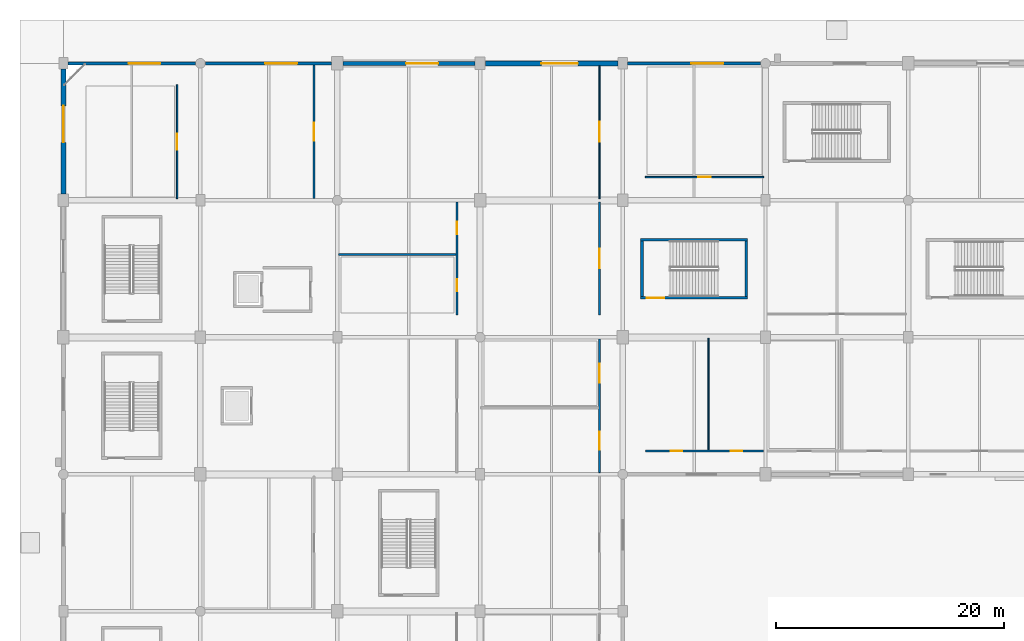
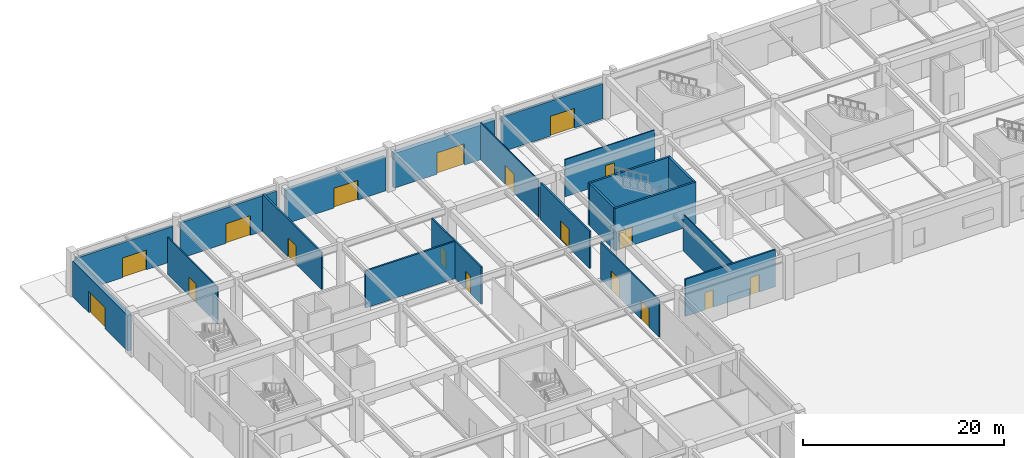
# One storey, part 29 of 69: 20 walls, 18 doors, 18 openings.
"""IFC4 building model written with IfcOpenShell, lengths in metres."""

from ifc_helpers import new_model, si_unit, direction, frame, frame_2d, origin, place, context, subcontext, project, spatial, rectangle, extrude, material, layer, layer_set, type_object, element, fill, save


model = new_model("IFC4")

# Units and contexts
model_context = context("Model", 3, precision=1e-05, world=origin(), true_north=direction((0.0, 1.0)))
body_context = subcontext(model_context, "Body", "Model", "MODEL_VIEW")
ifc_project = project(units=[si_unit("LENGTHUNIT", "METRE"), si_unit("AREAUNIT", "SQUARE_METRE"), si_unit("VOLUMEUNIT", "CUBIC_METRE"), si_unit("PLANEANGLEUNIT", "RADIAN"), si_unit("MASSUNIT", "GRAM", prefix="KILO")], contexts=[model_context])

# Site, building, storey
site_placement = place(None, origin())
site = spatial("IfcSite", under=ifc_project, at=site_placement, CompositionType="ELEMENT")
building_placement = place(site_placement, origin())
building = spatial("IfcBuilding", under=site, at=building_placement, Name="Kazenohara Klinker Stadium", CompositionType="ELEMENT")
storey_placement = place(building_placement, origin())
storey = spatial("IfcBuildingStorey", under=building, at=storey_placement, Name="L00", CompositionType="ELEMENT", Elevation=0.0)

# Wall, opening, door
ifc_material_1 = material(Name="Concrete C40/50", Category="concrete")
ifc_layer_1 = layer(ifc_material_1, 0.22998046875)
ifc_layer_set_1 = layer_set([ifc_layer_1], Name="Concrete C40/50")
wall_type_1 = type_object("IfcWallType", Name="WAL-CORE-230", PredefinedType="SHEAR", material=ifc_layer_set_1)
wall_1_placement = place(storey_placement, frame((50.570068359375, 147.455078125, 0.0), z_axis=(0.0, 0.0, 1.0), x_axis=(1.0, 0.0, 0.0)))
wall_1 = element("IfcWall", 1, at=wall_1_placement, inside=storey, type_object=wall_type_1, Name="Stairwell shear wall ST08 L00 South", PredefinedType="SHEAR", context=body_context, shape_type="SweptSolid", body=[
    extrude(rectangle(XDim=9.35986328125, YDim=0.22998046875, at=frame_2d((4.679931640625, 0.0))), origin(), (0.0, 0.0, 1.0), 5.139892578125),
])
opening_1_placement = place(wall_1_placement, frame((0.550048828125, 0.0, 0.0)))
opening_1 = element("IfcOpeningElement", 2, at=opening_1_placement, cuts=wall_1, Name="Opening SD02", PredefinedType="OPENING", context=body_context, shape_type="SweptSolid", body=[
    extrude(rectangle(XDim=1.5, YDim=2.199951171875, at=frame_2d((0.75, 1.10009765625))), frame((0.0, 0.125, 0.0), z_axis=(0.0, -1.0, 0.0), x_axis=(1.0, 0.0, 0.0)), (0.0, 0.0, 1.0), 0.25),
])
ifc_material_2 = material(Name="Flush painted steel fire door leaf", Category="steel")
door_type_1 = type_object("IfcDoorType", Name="DR-STR-1500x2200", OperationType="NOTDEFINED", PredefinedType="DOOR", material=ifc_material_2)
door_1_placement = place(opening_1_placement, origin())
door_1 = element("IfcDoor", 3, at=door_1_placement, inside=storey, type_object=door_type_1, Name="Escape stairwell fire door ST08-L00", OperationType="SINGLE_SWING_LEFT", OverallHeight=2.199951171875, OverallWidth=1.5, PredefinedType="DOOR", context=body_context, shape_type="SweptSolid", body=[
    extrude(rectangle(XDim=1.5, YDim=2.199951171875, at=frame_2d((0.75, 1.10009765625))), frame((0.0, 0.02490234375, 0.0), z_axis=(0.0, -1.0, 0.0), x_axis=(1.0, 0.0, 0.0)), (0.0, 0.0, 1.0), 0.050048828125),
])
fill(opening_1, door_1)

# Walls
wall_2_placement = place(storey_placement, frame((50.570068359375, 152.544921875, 0.0), z_axis=(0.0, 0.0, 1.0), x_axis=(1.0, 0.0, 0.0)))
element("IfcWall", 4, at=wall_2_placement, inside=storey, type_object=wall_type_1, Name="Stairwell shear wall ST08 L00 North", PredefinedType="SHEAR", context=body_context, shape_type="SweptSolid", body=[
    extrude(rectangle(XDim=9.35986328125, YDim=0.22998046875, at=frame_2d((4.679931640625, 0.0))), origin(), (0.0, 0.0, 1.0), 5.139892578125),
])
for number, where, z_axis, x_axis, name in (
    (5, (50.68505859375, 147.570068359375, 0.0), (0.0, 0.0, 1.0), (0.0, 1.0, 0.0), "Stairwell shear wall ST08 L00 West"),
    (6, (59.81494140625, 147.570068359375, 0.0), (0.0, 0.0, 1.0), (0.0, 1.0, 0.0), "Stairwell shear wall ST08 L00 East"),
):
    element("IfcWall", number, at=place(storey_placement, frame(where, z_axis=z_axis, x_axis=x_axis)), inside=storey, type_object=wall_type_1, Name=name, PredefinedType="SHEAR", context=body_context, shape_type="SweptSolid", body=[
        extrude(rectangle(XDim=4.85986328125, YDim=0.22998046875, at=frame_2d((2.429931640625, 0.0))), origin(), (0.0, 0.0, 1.0), 5.139892578125),
    ])

# Wall, opening, door
ifc_material_3 = material(Name="Clinker brick masonry", Category="masonry")
ifc_layer_2 = layer(ifc_material_3, 0.280029296875)
ifc_layer_set_2 = layer_set([ifc_layer_2], Name="Clinker brick masonry")
wall_type_2 = type_object("IfcWallType", Name="WAL-EXT-CB280", PredefinedType="SOLIDWALL", material=ifc_layer_set_2)
wall_3_placement = place(storey_placement, frame((0.404052734375, 168.0, 0.0), z_axis=(0.0, 0.0, 1.0), x_axis=(1.0, 0.0, 0.0)))
wall_3 = element("IfcWall", 7, at=wall_3_placement, inside=storey, type_object=wall_type_2, Name="Clinker brick cavity wall EW06 L00 X0-14", PredefinedType="SOLIDWALL", context=body_context, shape_type="SweptSolid", body=[
    extrude(rectangle(XDim=11.1669921875, YDim=0.280029296875, at=frame_2d((5.58349609375, 0.0))), origin(), (0.0, 0.0, 1.0), 4.239990234375),
])
opening_2_placement = place(wall_3_placement, frame((5.30029296875, 0.0, 0.0)))
opening_2 = element("IfcOpeningElement", 8, at=opening_2_placement, cuts=wall_3, Name="Opening G10", PredefinedType="OPENING", context=body_context, shape_type="SweptSolid", body=[
    extrude(rectangle(XDim=2.800048828125, YDim=2.39990234375, at=frame_2d((1.39990234375, 1.199951171875))), frame((0.0, 0.14990234375, 0.0), z_axis=(0.0, -1.0, 0.0), x_axis=(1.0, 0.0, 0.0)), (0.0, 0.0, 1.0), 0.300048828125),
])
ifc_material_4 = material(Name="Powder-coated aluminium and laminated safety glass", Category="aluminium")
door_type_2 = type_object("IfcDoorType", Name="DR-GATE-2800x2400", OperationType="NOTDEFINED", PredefinedType="DOOR", material=ifc_material_4)
door_2_placement = place(opening_2_placement, origin())
door_2 = element("IfcDoor", 9, at=door_2_placement, inside=storey, type_object=door_type_2, Name="Pedestrian exit gate G10", OperationType="DOUBLE_DOOR_SINGLE_SWING", OverallHeight=2.39990234375, OverallWidth=2.800048828125, PredefinedType="DOOR", context=body_context, shape_type="SweptSolid", body=[
    extrude(rectangle(XDim=2.800048828125, YDim=2.39990234375, at=frame_2d((1.39990234375, 1.199951171875))), frame((0.0, 0.02490234375, 0.0), z_axis=(0.0, -1.0, 0.0), x_axis=(1.0, 0.0, 0.0)), (0.0, 0.0, 1.0), 0.050048828125),
])
fill(opening_2, door_2)

wall_4_placement = place(storey_placement, frame((12.428955078125, 168.0, 0.0), z_axis=(0.0, 0.0, 1.0), x_axis=(1.0, 0.0, 0.0)))
wall_4 = element("IfcWall", 10, at=wall_4_placement, inside=storey, type_object=wall_type_2, Name="Clinker brick cavity wall EW06 L00 X1-14", PredefinedType="SOLIDWALL", context=body_context, shape_type="SweptSolid", body=[
    extrude(rectangle(XDim=11.067138671875, YDim=0.280029296875, at=frame_2d((5.53369140625, 0.0))), origin(), (0.0, 0.0, 1.0), 4.340087890625),
])
opening_3_placement = place(wall_4_placement, frame((5.240234375, 0.0, 0.0)))
opening_3 = element("IfcOpeningElement", 11, at=opening_3_placement, cuts=wall_4, Name="Opening G12", PredefinedType="OPENING", context=body_context, shape_type="SweptSolid", body=[
    extrude(rectangle(XDim=2.800048828125, YDim=2.39990234375, at=frame_2d((1.39990234375, 1.199951171875))), frame((0.0, 0.14990234375, 0.0), z_axis=(0.0, -1.0, 0.0), x_axis=(1.0, 0.0, 0.0)), (0.0, 0.0, 1.0), 0.300048828125),
])
door_3_placement = place(opening_3_placement, origin())
door_3 = element("IfcDoor", 12, at=door_3_placement, inside=storey, type_object=door_type_2, Name="Pedestrian exit gate G12", OperationType="DOUBLE_DOOR_SINGLE_SWING", OverallHeight=2.39990234375, OverallWidth=2.800048828125, PredefinedType="DOOR", context=body_context, shape_type="SweptSolid", body=[
    extrude(rectangle(XDim=2.800048828125, YDim=2.39990234375, at=frame_2d((1.39990234375, 1.199951171875))), frame((0.0, 0.02490234375, 0.0), z_axis=(0.0, -1.0, 0.0), x_axis=(1.0, 0.0, 0.0)), (0.0, 0.0, 1.0), 0.050048828125),
])
fill(opening_3, door_3)

wall_5_placement = place(storey_placement, frame((49.404052734375, 168.0, 0.0), z_axis=(0.0, 0.0, 1.0), x_axis=(1.0, 0.0, 0.0)))
wall_5 = element("IfcWall", 13, at=wall_5_placement, inside=storey, type_object=wall_type_2, Name="Clinker brick cavity wall EW06 L00 X4-14", PredefinedType="SOLIDWALL", context=body_context, shape_type="SweptSolid", body=[
    extrude(rectangle(XDim=11.6669921875, YDim=0.280029296875, at=frame_2d((5.83349609375, 0.0))), origin(), (0.0, 0.0, 1.0), 4.239990234375),
])
opening_4_placement = place(wall_5_placement, frame((5.60009765625, 0.0, 0.0)))
opening_4 = element("IfcOpeningElement", 14, at=opening_4_placement, cuts=wall_5, Name="Opening G17", PredefinedType="OPENING", context=body_context, shape_type="SweptSolid", body=[
    extrude(rectangle(XDim=2.800048828125, YDim=2.39990234375, at=frame_2d((1.39990234375, 1.199951171875))), frame((0.0, 0.14990234375, 0.0), z_axis=(0.0, -1.0, 0.0), x_axis=(1.0, 0.0, 0.0)), (0.0, 0.0, 1.0), 0.300048828125),
])
door_4_placement = place(opening_4_placement, origin())
door_4 = element("IfcDoor", 15, at=door_4_placement, inside=storey, type_object=door_type_2, Name="Pedestrian exit gate G17", OperationType="DOUBLE_DOOR_SINGLE_SWING", OverallHeight=2.39990234375, OverallWidth=2.800048828125, PredefinedType="DOOR", context=body_context, shape_type="SweptSolid", body=[
    extrude(rectangle(XDim=2.800048828125, YDim=2.39990234375, at=frame_2d((1.39990234375, 1.199951171875))), frame((0.0, 0.02490234375, 0.0), z_axis=(0.0, -1.0, 0.0), x_axis=(1.0, 0.0, 0.0)), (0.0, 0.0, 1.0), 0.050048828125),
])
fill(opening_4, door_4)

ifc_layer_3 = layer(ifc_material_3, 0.3701171875)
ifc_layer_set_3 = layer_set([ifc_layer_3], Name="Clinker brick masonry")
wall_type_3 = type_object("IfcWallType", Name="WAL-EXT-CB370", PredefinedType="SOLIDWALL", material=ifc_layer_set_3)
wall_6_placement = place(storey_placement, frame((24.50390625, 168.0, 0.0), z_axis=(0.0, 0.0, 1.0), x_axis=(1.0, 0.0, 0.0)))
wall_6 = element("IfcWall", 16, at=wall_6_placement, inside=storey, type_object=wall_type_3, Name="Clinker brick cavity wall EW03 L00 X2-14", PredefinedType="SOLIDWALL", context=body_context, shape_type="SweptSolid", body=[
    extrude(rectangle(XDim=11.5419921875, YDim=0.3701171875, at=frame_2d((5.77099609375, 0.0))), origin(), (0.0, 0.0, 1.0), 4.090087890625),
])
opening_5_placement = place(wall_6_placement, frame((5.525146484375, 0.0, 0.0)))
opening_5 = element("IfcOpeningElement", 17, at=opening_5_placement, cuts=wall_6, Name="Opening G14", PredefinedType="OPENING", context=body_context, shape_type="SweptSolid", body=[
    extrude(rectangle(XDim=2.800048828125, YDim=2.39990234375, at=frame_2d((1.39990234375, 1.199951171875))), frame((0.0, 0.195068359375, 0.0), z_axis=(0.0, -1.0, 0.0), x_axis=(1.0, 0.0, 0.0)), (0.0, 0.0, 1.0), 0.39013671875),
])
door_5_placement = place(opening_5_placement, origin())
door_5 = element("IfcDoor", 18, at=door_5_placement, inside=storey, type_object=door_type_2, Name="Pedestrian exit gate G14", OperationType="DOUBLE_DOOR_SINGLE_SWING", OverallHeight=2.39990234375, OverallWidth=2.800048828125, PredefinedType="DOOR", context=body_context, shape_type="SweptSolid", body=[
    extrude(rectangle(XDim=2.800048828125, YDim=2.39990234375, at=frame_2d((1.39990234375, 1.199951171875))), frame((0.0, 0.02490234375, 0.0), z_axis=(0.0, -1.0, 0.0), x_axis=(1.0, 0.0, 0.0)), (0.0, 0.0, 1.0), 0.050048828125),
])
fill(opening_5, door_5)

ifc_layer_4 = layer(ifc_material_3, 0.449951171875)
ifc_layer_set_4 = layer_set([ifc_layer_4], Name="Clinker brick masonry")
wall_type_4 = type_object("IfcWallType", Name="WAL-EXT-CB450", PredefinedType="SOLIDWALL", material=ifc_layer_set_4)
wall_7_placement = place(storey_placement, frame((0.0, 156.553955078125, 0.0), z_axis=(0.0, 0.0, 1.0), x_axis=(0.0, 1.0, 0.0)))
wall_7 = element("IfcWall", 19, at=wall_7_placement, inside=storey, type_object=wall_type_4, Name="Clinker brick cavity wall EW01 L00 Y0-13", PredefinedType="SOLIDWALL", context=body_context, shape_type="SweptSolid", body=[
    extrude(rectangle(XDim=10.942138671875, YDim=0.449951171875, at=frame_2d((5.47119140625, 0.0))), origin(), (0.0, 0.0, 1.0), 4.340087890625),
])
opening_6_placement = place(wall_7_placement, frame((4.527587890625, 0.0, 0.0)))
opening_6 = element("IfcOpeningElement", 20, at=opening_6_placement, cuts=wall_7, Name="Opening E02", PredefinedType="OPENING", context=body_context, shape_type="SweptSolid", body=[
    extrude(rectangle(XDim=3.199951171875, YDim=2.60009765625, at=frame_2d((1.60009765625, 1.300048828125))), frame((0.0, 0.23486328125, 0.0), z_axis=(0.0, -1.0, 0.0), x_axis=(1.0, 0.0, 0.0)), (0.0, 0.0, 1.0), 0.469970703125),
])
ifc_material_5 = material(Name="Bronze-anodised aluminium and tempered glass", Category="aluminium")
door_type_3 = type_object("IfcDoorType", Name="DR-ENT-3200x2600", OperationType="NOTDEFINED", PredefinedType="DOOR", material=ifc_material_5)
door_6_placement = place(opening_6_placement, origin())
door_6 = element("IfcDoor", 21, at=door_6_placement, inside=storey, type_object=door_type_3, Name="Main spectator entrance E02", OperationType="DOUBLE_DOOR_SINGLE_SWING", OverallHeight=2.60009765625, OverallWidth=3.199951171875, PredefinedType="DOOR", context=body_context, shape_type="SweptSolid", body=[
    extrude(rectangle(XDim=3.199951171875, YDim=2.60009765625, at=frame_2d((1.60009765625, 1.300048828125))), frame((0.0, 0.02490234375, 0.0), z_axis=(0.0, -1.0, 0.0), x_axis=(1.0, 0.0, 0.0)), (0.0, 0.0, 1.0), 0.050048828125),
])
fill(opening_6, door_6)

wall_8_placement = place(storey_placement, frame((36.9541015625, 168.0, 0.0), z_axis=(0.0, 0.0, 1.0), x_axis=(1.0, 0.0, 0.0)))
wall_8 = element("IfcWall", 22, at=wall_8_placement, inside=storey, type_object=wall_type_4, Name="Clinker brick cavity wall EW01 L00 X3-14", PredefinedType="SOLIDWALL", context=body_context, shape_type="SweptSolid", body=[
    extrude(rectangle(XDim=11.641845703125, YDim=0.449951171875, at=frame_2d((5.82080078125, 0.0))), origin(), (0.0, 0.0, 1.0), 4.239990234375),
])
opening_7_placement = place(wall_8_placement, frame((4.91943359375, 0.0, 0.0)))
opening_7 = element("IfcOpeningElement", 23, at=opening_7_placement, cuts=wall_8, Name="Opening E03", PredefinedType="OPENING", context=body_context, shape_type="SweptSolid", body=[
    extrude(rectangle(XDim=3.199951171875, YDim=2.60009765625, at=frame_2d((1.60009765625, 1.300048828125))), frame((0.0, 0.23486328125, 0.0), z_axis=(0.0, -1.0, 0.0), x_axis=(1.0, 0.0, 0.0)), (0.0, 0.0, 1.0), 0.469970703125),
])
door_7_placement = place(opening_7_placement, origin())
door_7 = element("IfcDoor", 24, at=door_7_placement, inside=storey, type_object=door_type_3, Name="Main spectator entrance E03", OperationType="DOUBLE_DOOR_SINGLE_SWING", OverallHeight=2.60009765625, OverallWidth=3.199951171875, PredefinedType="DOOR", context=body_context, shape_type="SweptSolid", body=[
    extrude(rectangle(XDim=3.199951171875, YDim=2.60009765625, at=frame_2d((1.60009765625, 1.300048828125))), frame((0.0, 0.02490234375, 0.0), z_axis=(0.0, -1.0, 0.0), x_axis=(1.0, 0.0, 0.0)), (0.0, 0.0, 1.0), 0.050048828125),
])
fill(opening_7, door_7)

ifc_material_6 = material(Name="Fire-rated gypsum board on acoustic studs", Category="gypsum")
ifc_layer_5 = layer(ifc_material_6, 0.110107421875)
ifc_layer_set_5 = layer_set([ifc_layer_5], Name="Fire-rated gypsum board on acoustic studs")
wall_type_5 = type_object("IfcWallType", Name="WAL-INT-P110", PredefinedType="PARTITIONING", material=ifc_layer_set_5)
wall_9_placement = place(storey_placement, frame((46.9599609375, 156.159912109375, 0.0), z_axis=(0.0, 0.0, 1.0), x_axis=(0.0, 1.0, 0.0)))
wall_9 = element("IfcWall", 25, at=wall_9_placement, inside=storey, type_object=wall_type_5, Name="Interior partition wall PT01 SPC-L00-03-13-1-1", PredefinedType="PARTITIONING", context=body_context, shape_type="SweptSolid", body=[
    extrude(rectangle(XDim=11.613037109375, YDim=0.110107421875, at=frame_2d((5.806640625, 0.0))), origin(), (0.0, 0.0, 1.0), 4.52001953125),
])
opening_8_placement = place(wall_9_placement, frame((4.9599609375, 0.0, 0.0)))
opening_8 = element("IfcOpeningElement", 26, at=opening_8_placement, cuts=wall_9, Name="Opening ID26", PredefinedType="OPENING", context=body_context, shape_type="SweptSolid", body=[
    extrude(rectangle(XDim=1.760009765625, YDim=2.300048828125, at=frame_2d((0.8798828125, 1.14990234375))), frame((0.0, 0.06494140625, 0.0), z_axis=(0.0, -1.0, 0.0), x_axis=(1.0, 0.0, 0.0)), (0.0, 0.0, 1.0), 0.130126953125),
])
ifc_material_7 = material(Name="Painted steel plant fire door", Category="steel")
door_type_4 = type_object("IfcDoorType", Name="DR-INT-26", OperationType="NOTDEFINED", PredefinedType="DOOR", material=ifc_material_7)
door_8_placement = place(opening_8_placement, origin())
door_8 = element("IfcDoor", 27, at=door_8_placement, inside=storey, type_object=door_type_4, Name="Interior door ID26 Spectator First-Aid Medical Clinic L00-0313A", OperationType="SINGLE_SWING_LEFT", OverallHeight=2.300048828125, OverallWidth=1.760009765625, PredefinedType="DOOR", context=body_context, shape_type="SweptSolid", body=[
    extrude(rectangle(XDim=1.760009765625, YDim=2.300048828125, at=frame_2d((0.8798828125, 1.14990234375))), frame((0.0, 0.02490234375, 0.0), z_axis=(0.0, -1.0, 0.0), x_axis=(1.0, 0.0, 0.0)), (0.0, 0.0, 1.0), 0.050048828125),
])
fill(opening_8, door_8)

# Wall
wall_10_placement = place(storey_placement, frame((56.51806640625, 134.139892578125, 0.0), z_axis=(0.0, 0.0, 1.0), x_axis=(0.0, 1.0, 0.0)))
element("IfcWall", 28, at=wall_10_placement, inside=storey, type_object=wall_type_5, Name="Interior partition wall PT01 SPC-L00-04-11-1-2", PredefinedType="PARTITIONING", context=body_context, shape_type="SweptSolid", body=[
    extrude(rectangle(XDim=9.780029296875, YDim=0.110107421875, at=frame_2d((4.89013671875, 0.0))), origin(), (0.0, 0.0, 1.0), 4.52001953125),
])

# Wall, opening, door
ifc_layer_6 = layer(ifc_material_6, 0.1201171875)
ifc_layer_set_6 = layer_set([ifc_layer_6], Name="Fire-rated gypsum board on acoustic studs")
wall_type_6 = type_object("IfcWallType", Name="WAL-INT-P120", PredefinedType="PARTITIONING", material=ifc_layer_set_6)
wall_11_placement = place(storey_placement, frame((9.9599609375, 156.159912109375, 0.0), z_axis=(0.0, 0.0, 1.0), x_axis=(0.0, 1.0, 0.0)))
wall_11 = element("IfcWall", 29, at=wall_11_placement, inside=storey, type_object=wall_type_6, Name="Interior partition wall PT02 SPC-L00-00-13-1-1", PredefinedType="PARTITIONING", context=body_context, shape_type="SweptSolid", body=[
    extrude(rectangle(XDim=9.989990234375, YDim=0.1201171875, at=frame_2d((4.9951171875, 0.0))), origin(), (0.0, 0.0, 1.0), 4.52001953125),
])
opening_9_placement = place(wall_11_placement, frame((4.294921875, 0.0, 0.0)))
opening_9 = element("IfcOpeningElement", 30, at=opening_9_placement, cuts=wall_11, Name="Opening ID18", PredefinedType="OPENING", context=body_context, shape_type="SweptSolid", body=[
    extrude(rectangle(XDim=1.39990234375, YDim=2.239990234375, at=frame_2d((0.699951171875, 1.1201171875))), frame((0.0, 0.070068359375, 0.0), z_axis=(0.0, -1.0, 0.0), x_axis=(1.0, 0.0, 0.0)), (0.0, 0.0, 1.0), 0.14013671875),
])
ifc_material_8 = material(Name="Solid-core Hokkaido oak fire door", Category="wood")
door_type_5 = type_object("IfcDoorType", Name="DR-INT-18", OperationType="NOTDEFINED", PredefinedType="DOOR", material=ifc_material_8)
door_9_placement = place(opening_9_placement, origin())
door_9 = element("IfcDoor", 31, at=door_9_placement, inside=storey, type_object=door_type_5, Name="Interior door ID18 Civic Stadium Heritage Museum Exhibition Gallery L00-0013A", OperationType="SINGLE_SWING_LEFT", OverallHeight=2.239990234375, OverallWidth=1.39990234375, PredefinedType="DOOR", context=body_context, shape_type="SweptSolid", body=[
    extrude(rectangle(XDim=1.39990234375, YDim=2.239990234375, at=frame_2d((0.699951171875, 1.1201171875))), frame((0.0, 0.02490234375, 0.0), z_axis=(0.0, -1.0, 0.0), x_axis=(1.0, 0.0, 0.0)), (0.0, 0.0, 1.0), 0.050048828125),
])
fill(opening_9, door_9)

wall_12_placement = place(storey_placement, frame((50.969970703125, 158.0400390625, 0.0), z_axis=(0.0, 0.0, 1.0), x_axis=(1.0, 0.0, 0.0)))
wall_12 = element("IfcWall", 32, at=wall_12_placement, inside=storey, type_object=wall_type_6, Name="Interior partition wall PT02 SPC-L00-04-13-1-1", PredefinedType="PARTITIONING", context=body_context, shape_type="SweptSolid", body=[
    extrude(rectangle(XDim=10.3701171875, YDim=0.1201171875, at=frame_2d((5.18505859375, 0.0))), origin(), (0.0, 0.0, 1.0), 4.52001953125),
])
opening_10_placement = place(wall_12_placement, frame((4.655029296875, 0.0, 0.0)))
opening_10 = element("IfcOpeningElement", 33, at=opening_10_placement, cuts=wall_12, Name="Opening ID07", PredefinedType="OPENING", context=body_context, shape_type="SweptSolid", body=[
    extrude(rectangle(XDim=1.06005859375, YDim=2.14990234375, at=frame_2d((0.530029296875, 1.074951171875))), frame((0.0, 0.070068359375, 0.0), z_axis=(0.0, -1.0, 0.0), x_axis=(1.0, 0.0, 0.0)), (0.0, 0.0, 1.0), 0.14013671875),
])
door_type_6 = type_object("IfcDoorType", Name="DR-INT-07", OperationType="NOTDEFINED", PredefinedType="DOOR", material=ifc_material_8)
door_10_placement = place(opening_10_placement, origin())
door_10 = element("IfcDoor", 34, at=door_10_placement, inside=storey, type_object=door_type_6, Name="Interior door ID07 Supporter Merchandising Retail Shop L00-0413A", OperationType="SINGLE_SWING_RIGHT", OverallHeight=2.14990234375, OverallWidth=1.06005859375, PredefinedType="DOOR", context=body_context, shape_type="SweptSolid", body=[
    extrude(rectangle(XDim=1.06005859375, YDim=2.14990234375, at=frame_2d((0.530029296875, 1.074951171875))), frame((0.0, 0.02490234375, 0.0), z_axis=(0.0, -1.0, 0.0), x_axis=(1.0, 0.0, 0.0)), (0.0, 0.0, 1.0), 0.050048828125),
])
fill(opening_10, door_10)

# Wall, openings, doors
ifc_layer_7 = layer(ifc_material_6, 0.14990234375)
ifc_layer_set_7 = layer_set([ifc_layer_7], Name="Fire-rated gypsum board on acoustic studs")
wall_type_7 = type_object("IfcWallType", Name="WAL-INT-P150", PredefinedType="PARTITIONING", material=ifc_layer_set_7)
wall_13_placement = place(storey_placement, frame((46.9599609375, 132.159912109375, 0.0), z_axis=(0.0, 0.0, 1.0), x_axis=(0.0, 1.0, 0.0)))
wall_13 = element("IfcWall", 35, at=wall_13_placement, inside=storey, type_object=wall_type_7, Name="Interior partition wall PT04 SPC-L00-03-11-1-1", PredefinedType="PARTITIONING", context=body_context, shape_type="SweptSolid", body=[
    extrude(rectangle(XDim=11.68017578125, YDim=0.14990234375, at=frame_2d((5.840087890625, 0.0))), origin(), (0.0, 0.0, 1.0), 4.52001953125),
])
opening_11_placement = place(wall_13_placement, frame((1.992431640625, 0.0, 0.0)))
opening_11 = element("IfcOpeningElement", 36, at=opening_11_placement, cuts=wall_13, Name="Opening ID23", PredefinedType="OPENING", context=body_context, shape_type="SweptSolid", body=[
    extrude(rectangle(XDim=1.60009765625, YDim=2.300048828125, at=frame_2d((0.800048828125, 1.14990234375))), frame((0.0, 0.0849609375, 0.0), z_axis=(0.0, -1.0, 0.0), x_axis=(1.0, 0.0, 0.0)), (0.0, 0.0, 1.0), 0.169921875),
])
opening_12_placement = place(wall_13_placement, frame((7.887451171875, 0.0, 0.0)))
opening_12 = element("IfcOpeningElement", 37, at=opening_12_placement, cuts=wall_13, Name="Opening ID24", PredefinedType="OPENING", context=body_context, shape_type="SweptSolid", body=[
    extrude(rectangle(XDim=1.64990234375, YDim=2.280029296875, at=frame_2d((0.824951171875, 1.14013671875))), frame((0.0, 0.0849609375, 0.0), z_axis=(0.0, -1.0, 0.0), x_axis=(1.0, 0.0, 0.0)), (0.0, 0.0, 1.0), 0.169921875),
])
door_type_7 = type_object("IfcDoorType", Name="DR-INT-23", OperationType="NOTDEFINED", PredefinedType="DOOR", material=ifc_material_7)
door_11_placement = place(opening_11_placement, origin())
door_11 = element("IfcDoor", 38, at=door_11_placement, inside=storey, type_object=door_type_7, Name="Interior door ID23 Civic Stadium Heritage Museum Exhibition Gallery L00-0311A", OperationType="SINGLE_SWING_RIGHT", OverallHeight=2.300048828125, OverallWidth=1.60009765625, PredefinedType="DOOR", context=body_context, shape_type="SweptSolid", body=[
    extrude(rectangle(XDim=1.60009765625, YDim=2.300048828125, at=frame_2d((0.800048828125, 1.14990234375))), frame((0.0, 0.02490234375, 0.0), z_axis=(0.0, -1.0, 0.0), x_axis=(1.0, 0.0, 0.0)), (0.0, 0.0, 1.0), 0.050048828125),
])
fill(opening_11, door_11)
door_type_8 = type_object("IfcDoorType", Name="DR-INT-24", OperationType="NOTDEFINED", PredefinedType="DOOR", material=ifc_material_7)
door_12_placement = place(opening_12_placement, origin())
door_12 = element("IfcDoor", 39, at=door_12_placement, inside=storey, type_object=door_type_8, Name="Interior door ID24 Street-Front Bakery and Cafe Restaurant L00-0311B", OperationType="SINGLE_SWING_LEFT", OverallHeight=2.280029296875, OverallWidth=1.64990234375, PredefinedType="DOOR", context=body_context, shape_type="SweptSolid", body=[
    extrude(rectangle(XDim=1.64990234375, YDim=2.280029296875, at=frame_2d((0.824951171875, 1.14013671875))), frame((0.0, 0.02490234375, 0.0), z_axis=(0.0, -1.0, 0.0), x_axis=(1.0, 0.0, 0.0)), (0.0, 0.0, 1.0), 0.050048828125),
])
fill(opening_12, door_12)

ifc_layer_8 = layer(ifc_material_6, 0.169921875)
ifc_layer_set_8 = layer_set([ifc_layer_8], Name="Fire-rated gypsum board on acoustic studs")
wall_type_8 = type_object("IfcWallType", Name="WAL-INT-P170", PredefinedType="PARTITIONING", material=ifc_layer_set_8)
wall_14_placement = place(storey_placement, frame((34.4599609375, 145.969970703125, 0.0), z_axis=(0.0, 0.0, 1.0), x_axis=(0.0, 1.0, 0.0)))
wall_14 = element("IfcWall", 40, at=wall_14_placement, inside=storey, type_object=wall_type_8, Name="Interior partition wall PT05 SPC-L00-02-12-1-1", PredefinedType="PARTITIONING", context=body_context, shape_type="SweptSolid", body=[
    extrude(rectangle(XDim=9.8701171875, YDim=0.169921875, at=frame_2d((4.93505859375, 0.0))), origin(), (0.0, 0.0, 1.0), 4.52001953125),
])
opening_13_placement = place(wall_14_placement, frame((2.0703125, 0.0, 0.0)))
opening_13 = element("IfcOpeningElement", 41, at=opening_13_placement, cuts=wall_14, Name="Opening ID07", PredefinedType="OPENING", context=body_context, shape_type="SweptSolid", body=[
    extrude(rectangle(XDim=1.06005859375, YDim=2.14990234375, at=frame_2d((0.530029296875, 1.074951171875))), frame((0.0, 0.094970703125, 0.0), z_axis=(0.0, -1.0, 0.0), x_axis=(1.0, 0.0, 0.0)), (0.0, 0.0, 1.0), 0.18994140625),
])
opening_14_placement = place(wall_14_placement, frame((7.0703125, 0.0, 0.0)))
opening_14 = element("IfcOpeningElement", 42, at=opening_14_placement, cuts=wall_14, Name="Opening ID08", PredefinedType="OPENING", context=body_context, shape_type="SweptSolid", body=[
    extrude(rectangle(XDim=1.090087890625, YDim=2.159912109375, at=frame_2d((0.544921875, 1.080078125))), frame((0.0, 0.094970703125, 0.0), z_axis=(0.0, -1.0, 0.0), x_axis=(1.0, 0.0, 0.0)), (0.0, 0.0, 1.0), 0.18994140625),
])
door_13_placement = place(opening_13_placement, origin())
door_13 = element("IfcDoor", 43, at=door_13_placement, inside=storey, type_object=door_type_6, Name="Interior door ID07 Spectator First-Aid Medical Clinic L00-0212A", OperationType="SINGLE_SWING_RIGHT", OverallHeight=2.14990234375, OverallWidth=1.06005859375, PredefinedType="DOOR", context=body_context, shape_type="SweptSolid", body=[
    extrude(rectangle(XDim=1.06005859375, YDim=2.14990234375, at=frame_2d((0.530029296875, 1.074951171875))), frame((0.0, 0.02490234375, 0.0), z_axis=(0.0, -1.0, 0.0), x_axis=(1.0, 0.0, 0.0)), (0.0, 0.0, 1.0), 0.050048828125),
])
fill(opening_13, door_13)
door_type_9 = type_object("IfcDoorType", Name="DR-INT-08", OperationType="NOTDEFINED", PredefinedType="DOOR", material=ifc_material_8)
door_14_placement = place(opening_14_placement, origin())
door_14 = element("IfcDoor", 44, at=door_14_placement, inside=storey, type_object=door_type_9, Name="Interior door ID08 Winter-Garden Retail Galleria Boutique L00-0212B", OperationType="SINGLE_SWING_LEFT", OverallHeight=2.159912109375, OverallWidth=1.090087890625, PredefinedType="DOOR", context=body_context, shape_type="SweptSolid", body=[
    extrude(rectangle(XDim=1.090087890625, YDim=2.159912109375, at=frame_2d((0.544921875, 1.080078125))), frame((0.0, 0.02490234375, 0.0), z_axis=(0.0, -1.0, 0.0), x_axis=(1.0, 0.0, 0.0)), (0.0, 0.0, 1.0), 0.050048828125),
])
fill(opening_14, door_14)

# Wall, opening, door
ifc_layer_9 = layer(ifc_material_6, 0.18994140625)
ifc_layer_set_9 = layer_set([ifc_layer_9], Name="Fire-rated gypsum board on acoustic studs")
wall_type_9 = type_object("IfcWallType", Name="WAL-INT-P190", PredefinedType="PARTITIONING", material=ifc_layer_set_9)
wall_15_placement = place(storey_placement, frame((21.9599609375, 156.159912109375, 0.0), z_axis=(0.0, 0.0, 1.0), x_axis=(0.0, 1.0, 0.0)))
wall_15 = element("IfcWall", 45, at=wall_15_placement, inside=storey, type_object=wall_type_9, Name="Interior partition wall PT06 SPC-L00-01-13-1-1", PredefinedType="PARTITIONING", context=body_context, shape_type="SweptSolid", body=[
    extrude(rectangle(XDim=11.697998046875, YDim=0.18994140625, at=frame_2d((5.84912109375, 0.0))), origin(), (0.0, 0.0, 1.0), 4.52001953125),
])
opening_15_placement = place(wall_15_placement, frame((5.06005859375, 0.0, 0.0)))
opening_15 = element("IfcOpeningElement", 46, at=opening_15_placement, cuts=wall_15, Name="Opening ID22", PredefinedType="OPENING", context=body_context, shape_type="SweptSolid", body=[
    extrude(rectangle(XDim=1.56005859375, YDim=2.260009765625, at=frame_2d((0.780029296875, 1.1298828125))), frame((0.0, 0.10498046875, 0.0), z_axis=(0.0, -1.0, 0.0), x_axis=(1.0, 0.0, 0.0)), (0.0, 0.0, 1.0), 0.2099609375),
])
door_type_10 = type_object("IfcDoorType", Name="DR-INT-22", OperationType="NOTDEFINED", PredefinedType="DOOR", material=ifc_material_7)
door_15_placement = place(opening_15_placement, origin())
door_15 = element("IfcDoor", 47, at=door_15_placement, inside=storey, type_object=door_type_10, Name="Interior door ID22 Civic Stadium Heritage Museum Exhibition Gallery L00-0113A", OperationType="SINGLE_SWING_LEFT", OverallHeight=2.260009765625, OverallWidth=1.56005859375, PredefinedType="DOOR", context=body_context, shape_type="SweptSolid", body=[
    extrude(rectangle(XDim=1.56005859375, YDim=2.260009765625, at=frame_2d((0.780029296875, 1.1298828125))), frame((0.0, 0.02490234375, 0.0), z_axis=(0.0, -1.0, 0.0), x_axis=(1.0, 0.0, 0.0)), (0.0, 0.0, 1.0), 0.050048828125),
])
fill(opening_15, door_15)

# Wall
wall_16_placement = place(storey_placement, frame((24.080078125, 151.25048828125, 0.0), z_axis=(0.0, 0.0, 1.0), x_axis=(1.0, 0.0, 0.0)))
element("IfcWall", 48, at=wall_16_placement, inside=storey, type_object=wall_type_9, Name="Interior partition wall PT06 SPC-L00-02-12-1-2", PredefinedType="PARTITIONING", context=body_context, shape_type="SweptSolid", body=[
    extrude(rectangle(XDim=10.2900390625, YDim=0.18994140625, at=frame_2d((5.14501953125, 0.0))), origin(), (0.0, 0.0, 1.0), 4.52001953125),
])

# Wall, opening, door
wall_17_placement = place(storey_placement, frame((46.9599609375, 145.969970703125, 0.0), z_axis=(0.0, 0.0, 1.0), x_axis=(0.0, 1.0, 0.0)))
wall_17 = element("IfcWall", 49, at=wall_17_placement, inside=storey, type_object=wall_type_9, Name="Interior partition wall PT06 SPC-L00-03-12-1-1", PredefinedType="PARTITIONING", context=body_context, shape_type="SweptSolid", body=[
    extrude(rectangle(XDim=9.8701171875, YDim=0.18994140625, at=frame_2d((4.93505859375, 0.0))), origin(), (0.0, 0.0, 1.0), 4.52001953125),
])
opening_16_placement = place(wall_17_placement, frame((4.0849609375, 0.0, 0.0)))
opening_16 = element("IfcOpeningElement", 50, at=opening_16_placement, cuts=wall_17, Name="Opening ID25", PredefinedType="OPENING", context=body_context, shape_type="SweptSolid", body=[
    extrude(rectangle(XDim=1.699951171875, YDim=2.320068359375, at=frame_2d((0.85009765625, 1.16015625))), frame((0.0, 0.10498046875, 0.0), z_axis=(0.0, -1.0, 0.0), x_axis=(1.0, 0.0, 0.0)), (0.0, 0.0, 1.0), 0.2099609375),
])
door_type_11 = type_object("IfcDoorType", Name="DR-INT-25", OperationType="NOTDEFINED", PredefinedType="DOOR", material=ifc_material_7)
door_16_placement = place(opening_16_placement, origin())
door_16 = element("IfcDoor", 51, at=door_16_placement, inside=storey, type_object=door_type_11, Name="Interior door ID25 Supporter Merchandising Retail Shop L00-0312A", OperationType="SINGLE_SWING_RIGHT", OverallHeight=2.320068359375, OverallWidth=1.699951171875, PredefinedType="DOOR", context=body_context, shape_type="SweptSolid", body=[
    extrude(rectangle(XDim=1.699951171875, YDim=2.320068359375, at=frame_2d((0.85009765625, 1.16015625))), frame((0.0, 0.02490234375, 0.0), z_axis=(0.0, -1.0, 0.0), x_axis=(1.0, 0.0, 0.0)), (0.0, 0.0, 1.0), 0.050048828125),
])
fill(opening_16, door_16)

# Wall, openings, doors
wall_18_placement = place(storey_placement, frame((50.969970703125, 134.0400390625, 0.0), z_axis=(0.0, 0.0, 1.0), x_axis=(1.0, 0.0, 0.0)))
wall_18 = element("IfcWall", 52, at=wall_18_placement, inside=storey, type_object=wall_type_9, Name="Interior partition wall PT06 SPC-L00-04-11-1-1", PredefinedType="PARTITIONING", context=body_context, shape_type="SweptSolid", body=[
    extrude(rectangle(XDim=10.3701171875, YDim=0.18994140625, at=frame_2d((5.18505859375, 0.0))), origin(), (0.0, 0.0, 1.0), 4.52001953125),
])
opening_17_placement = place(wall_18_placement, frame((2.23388671875, 0.0, 0.0)))
opening_17 = element("IfcOpeningElement", 53, at=opening_17_placement, cuts=wall_18, Name="Opening ID05", PredefinedType="OPENING", context=body_context, shape_type="SweptSolid", body=[
    extrude(rectangle(XDim=1.0, YDim=2.139892578125, at=frame_2d((0.5, 1.06982421875))), frame((0.0, 0.10498046875, 0.0), z_axis=(0.0, -1.0, 0.0), x_axis=(1.0, 0.0, 0.0)), (0.0, 0.0, 1.0), 0.2099609375),
])
opening_18_placement = place(wall_18_placement, frame((7.48388671875, 0.0, 0.0)))
opening_18 = element("IfcOpeningElement", 54, at=opening_18_placement, cuts=wall_18, Name="Opening ID06", PredefinedType="OPENING", context=body_context, shape_type="SweptSolid", body=[
    extrude(rectangle(XDim=1.030029296875, YDim=2.1201171875, at=frame_2d((0.51513671875, 1.06005859375))), frame((0.0, 0.10498046875, 0.0), z_axis=(0.0, -1.0, 0.0), x_axis=(1.0, 0.0, 0.0)), (0.0, 0.0, 1.0), 0.2099609375),
])
door_type_12 = type_object("IfcDoorType", Name="DR-INT-05", OperationType="NOTDEFINED", PredefinedType="DOOR", material=ifc_material_8)
door_17_placement = place(opening_17_placement, origin())
door_17 = element("IfcDoor", 55, at=door_17_placement, inside=storey, type_object=door_type_12, Name="Interior door ID05 Civic Stadium Heritage Museum Exhibition Gallery L00-0411A", OperationType="SINGLE_SWING_RIGHT", OverallHeight=2.139892578125, OverallWidth=1.0, PredefinedType="DOOR", context=body_context, shape_type="SweptSolid", body=[
    extrude(rectangle(XDim=1.0, YDim=2.139892578125, at=frame_2d((0.5, 1.06982421875))), frame((0.0, 0.02490234375, 0.0), z_axis=(0.0, -1.0, 0.0), x_axis=(1.0, 0.0, 0.0)), (0.0, 0.0, 1.0), 0.050048828125),
])
fill(opening_17, door_17)
door_type_13 = type_object("IfcDoorType", Name="DR-INT-06", OperationType="NOTDEFINED", PredefinedType="DOOR", material=ifc_material_8)
door_18_placement = place(opening_18_placement, origin())
door_18 = element("IfcDoor", 56, at=door_18_placement, inside=storey, type_object=door_type_13, Name="Interior door ID06 Street-Front Bakery and Cafe Restaurant L00-0411B", OperationType="SINGLE_SWING_LEFT", OverallHeight=2.1201171875, OverallWidth=1.030029296875, PredefinedType="DOOR", context=body_context, shape_type="SweptSolid", body=[
    extrude(rectangle(XDim=1.030029296875, YDim=2.1201171875, at=frame_2d((0.51513671875, 1.06005859375))), frame((0.0, 0.02490234375, 0.0), z_axis=(0.0, -1.0, 0.0), x_axis=(1.0, 0.0, 0.0)), (0.0, 0.0, 1.0), 0.050048828125),
])
fill(opening_18, door_18)

save(model, "model.ifc")
